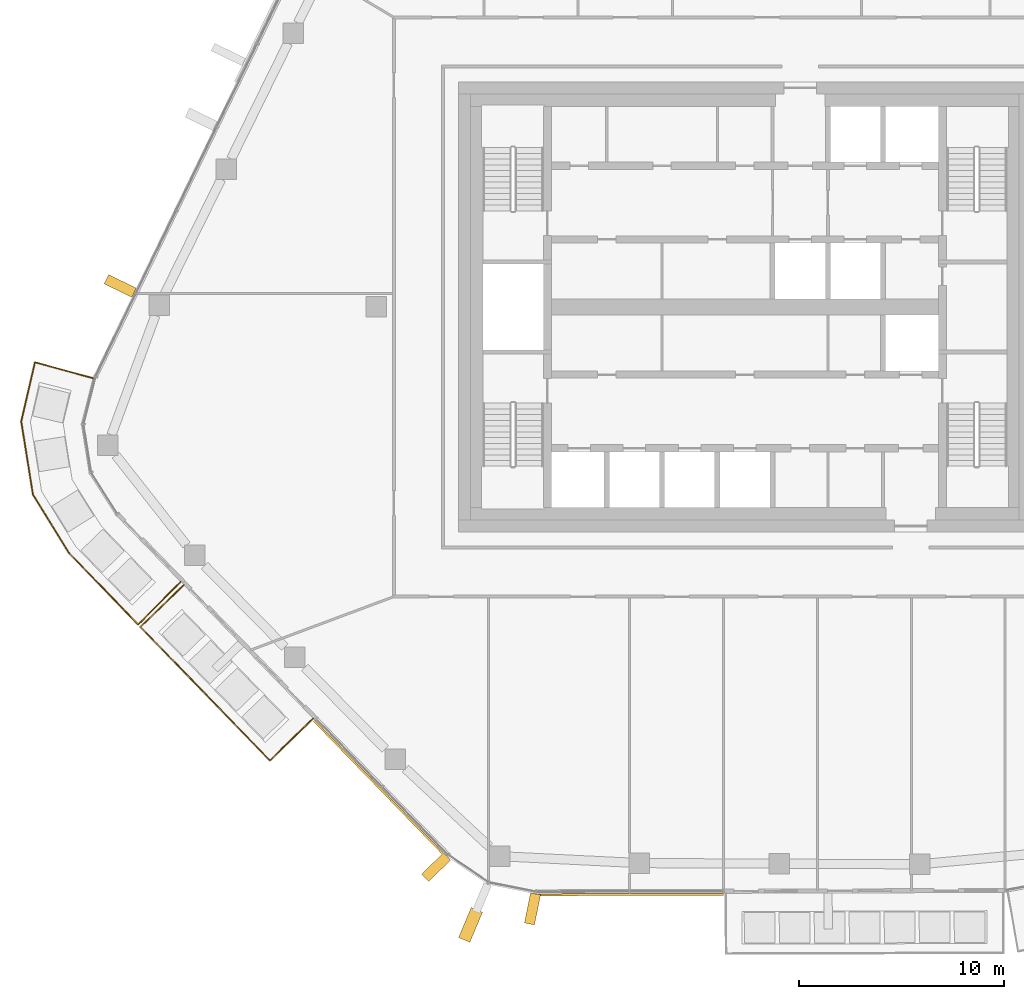
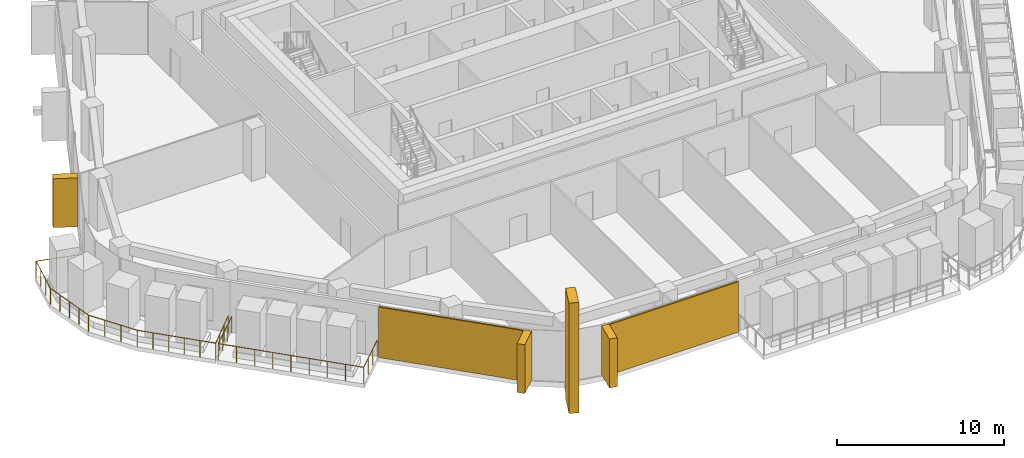
# One storey, part 18 of 24: 6 coverings, 2 railings, 4 elements without a shape of their own.
"""IFC4 building model written with IfcOpenShell, lengths in metres."""

from ifc_helpers import new_model, si_unit, direction, frame, origin, origin_2d, place, context, subcontext, project, spatial, rectangle, circle, extrude, material, layer, layer_set, material_profile, profile_set, type_object, element, aggregate, save


model = new_model("IFC4")

# Units and contexts
model_context = context("Model", 3, precision=1e-05, world=origin(), true_north=direction((0.0, 1.0)))
body_context = subcontext(model_context, "Body", "Model", "MODEL_VIEW")
ifc_project = project(units=[si_unit("LENGTHUNIT", "METRE"), si_unit("AREAUNIT", "SQUARE_METRE"), si_unit("VOLUMEUNIT", "CUBIC_METRE"), si_unit("PLANEANGLEUNIT", "RADIAN"), si_unit("MASSUNIT", "GRAM", prefix="KILO")], contexts=[model_context])

# Site, building, storey
site_placement = place(None, origin())
site = spatial("IfcSite", under=ifc_project, at=site_placement, CompositionType="ELEMENT")
building_placement = place(site_placement, origin())
building = spatial("IfcBuilding", under=site, at=building_placement, Name="Dongbaek Canopy Tower", CompositionType="ELEMENT")
storey_placement = place(building_placement, frame((0.0, 0.0, 344.60009765625)))
storey = spatial("IfcBuildingStorey", under=building, at=storey_placement, Name="L74", CompositionType="ELEMENT", Elevation=344.60009765625)

# Railings
ifc_material_1 = material(Name="Stainless steel", Category="steel")
railing_type = type_object("IfcRailingType", Name="Balcony balustrade 1200", PredefinedType="BALUSTRADE", material=ifc_material_1)
railing_1_placement = place(storey_placement, frame((-27.416748046875, -13.58642578125, 0.0)))
element("IfcRailing", 1, at=railing_1_placement, inside=storey, type_object=railing_type, Name="Balcony guard L74 3", PredefinedType="BALUSTRADE", context=body_context, shape_type="SweptSolid", body=[
    extrude(circle(Radius=0.02392578125, at=origin_2d()), frame((0.0, 0.0, 1.17578125), z_axis=(-0.717696638851, -0.696355896494, 0.0), x_axis=(0.696355896494, -0.717696638851, 0.0)), (0.0, 0.0, 1.0), 2.940185546875),
    extrude(circle(Radius=0.02392578125, at=origin_2d()), frame((-2.110107421875, -2.04736328125, 1.17578125), z_axis=(0.696375572083, -0.717677547793, 0.0), x_axis=(0.717677547793, 0.696375572083, 0.0)), (0.0, 0.0, 1.0), 9.0771484375),
    extrude(circle(Radius=0.02392578125, at=origin_2d()), frame((4.2109375, -8.561767578125, 1.17578125), z_axis=(0.717656369211, 0.696397397849, 0.0), x_axis=(-0.696397397849, 0.717656369211, 0.0)), (0.0, 0.0, 1.0), 2.93994140625),
    extrude(circle(Radius=0.02099609375, at=origin_2d()), origin(), (0.0, 0.0, 1.0), 1.15185546875),
    extrude(circle(Radius=0.02099609375, at=origin_2d()), frame((-0.703369140625, -0.682373046875, 0.0)), (0.0, 0.0, 1.0), 1.15185546875),
    extrude(circle(Radius=0.02099609375, at=origin_2d()), frame((-1.40673828125, -1.364990234375, 0.0)), (0.0, 0.0, 1.0), 1.15185546875),
    extrude(circle(Radius=0.02099609375, at=origin_2d()), frame((-2.110107421875, -2.04736328125, 0.0)), (0.0, 0.0, 1.0), 1.15185546875),
    extrude(circle(Radius=0.02099609375, at=origin_2d()), frame((-1.320068359375, -2.861572265625, 0.0)), (0.0, 0.0, 1.0), 1.15185546875),
    extrude(circle(Radius=0.02099609375, at=origin_2d()), frame((-0.52978515625, -3.676025390625, 0.0)), (0.0, 0.0, 1.0), 1.15185546875),
    extrude(circle(Radius=0.02099609375, at=origin_2d()), frame((0.26025390625, -4.490234375, 0.0)), (0.0, 0.0, 1.0), 1.15185546875),
    extrude(circle(Radius=0.02099609375, at=origin_2d()), frame((1.05029296875, -5.3046875, 0.0)), (0.0, 0.0, 1.0), 1.15185546875),
    extrude(circle(Radius=0.02099609375, at=origin_2d()), frame((1.840576171875, -6.118896484375, 0.0)), (0.0, 0.0, 1.0), 1.15185546875),
    extrude(circle(Radius=0.02099609375, at=origin_2d()), frame((2.630615234375, -6.93310546875, 0.0)), (0.0, 0.0, 1.0), 1.15185546875),
    extrude(circle(Radius=0.02099609375, at=origin_2d()), frame((3.4208984375, -7.74755859375, 0.0)), (0.0, 0.0, 1.0), 1.15185546875),
    extrude(circle(Radius=0.02099609375, at=origin_2d()), frame((4.2109375, -8.561767578125, 0.0)), (0.0, 0.0, 1.0), 1.15185546875),
    extrude(circle(Radius=0.02099609375, at=origin_2d()), frame((4.914306640625, -7.87939453125, 0.0)), (0.0, 0.0, 1.0), 1.15185546875),
    extrude(circle(Radius=0.02099609375, at=origin_2d()), frame((5.617431640625, -7.19677734375, 0.0)), (0.0, 0.0, 1.0), 1.15185546875),
    extrude(circle(Radius=0.02099609375, at=origin_2d()), frame((6.32080078125, -6.514404296875, 0.0)), (0.0, 0.0, 1.0), 1.15185546875),
])
railing_2_placement = place(storey_placement, frame((-31.848876953125, -3.47900390625, 0.0)))
element("IfcRailing", 2, at=railing_2_placement, inside=storey, type_object=railing_type, Name="Balcony guard L74 7", PredefinedType="BALUSTRADE", context=body_context, shape_type="SweptSolid", body=[
    extrude(circle(Radius=0.02392578125, at=origin_2d()), frame((0.0, 0.0, 1.17578125), z_axis=(-0.964105557481, 0.265519253602, 0.0), x_axis=(-0.265519253602, -0.964105557481, 0.0)), (0.0, 0.0, 1.0), 2.9404296875),
    extrude(circle(Radius=0.02392578125, at=origin_2d()), frame((-2.8349609375, 0.78076171875, 1.17578125), z_axis=(-0.225884835617, -0.974154012997, 0.0), x_axis=(0.974154012997, -0.225884835617, 0.0)), (0.0, 0.0, 1.0), 2.973388671875),
    extrude(circle(Radius=0.02392578125, at=origin_2d()), frame((-3.506591796875, -2.11572265625, 1.17578125), z_axis=(0.158464274959, -0.987364711523, 0.0), x_axis=(0.987364711523, 0.158464274959, 0.0)), (0.0, 0.0, 1.0), 3.617431640625),
    extrude(circle(Radius=0.02392578125, at=origin_2d()), frame((-2.933349609375, -5.6875, 1.17578125), z_axis=(0.525154889497, -0.851006663921, 0.0), x_axis=(0.851006663921, 0.525154889497, 0.0)), (0.0, 0.0, 1.0), 3.322021484375),
    extrude(circle(Radius=0.02392578125, at=origin_2d()), frame((-1.188720703125, -8.5146484375, 1.17578125), z_axis=(0.694128190065, -0.719851412277, 0.0), x_axis=(0.719851412277, 0.694128190065, 0.0)), (0.0, 0.0, 1.0), 4.8974609375),
    extrude(circle(Radius=0.02392578125, at=origin_2d()), frame((2.210693359375, -12.0400390625, 1.17578125), z_axis=(0.70331897613, 0.710874403686, 0.0), x_axis=(-0.710874403686, 0.70331897613, 0.0)), (0.0, 0.0, 1.0), 2.9404296875),
    extrude(circle(Radius=0.02099609375, at=origin_2d()), origin(), (0.0, 0.0, 1.0), 1.15185546875),
    extrude(circle(Radius=0.02099609375, at=origin_2d()), frame((-0.945068359375, 0.26025390625, 0.0)), (0.0, 0.0, 1.0), 1.15185546875),
    extrude(circle(Radius=0.02099609375, at=origin_2d()), frame((-1.889892578125, 0.5205078125, 0.0)), (0.0, 0.0, 1.0), 1.15185546875),
    extrude(circle(Radius=0.02099609375, at=origin_2d()), frame((-2.8349609375, 0.78076171875, 0.0)), (0.0, 0.0, 1.0), 1.15185546875),
    extrude(circle(Radius=0.02099609375, at=origin_2d()), frame((-3.058837890625, -0.184814453125, 0.0)), (0.0, 0.0, 1.0), 1.15185546875),
    extrude(circle(Radius=0.02099609375, at=origin_2d()), frame((-3.28271484375, -1.150146484375, 0.0)), (0.0, 0.0, 1.0), 1.15185546875),
    extrude(circle(Radius=0.02099609375, at=origin_2d()), frame((-3.506591796875, -2.11572265625, 0.0)), (0.0, 0.0, 1.0), 1.15185546875),
    extrude(circle(Radius=0.02099609375, at=origin_2d()), frame((-3.36328125, -3.0087890625, 0.0)), (0.0, 0.0, 1.0), 1.15185546875),
    extrude(circle(Radius=0.02099609375, at=origin_2d()), frame((-3.219970703125, -3.901611328125, 0.0)), (0.0, 0.0, 1.0), 1.15185546875),
    extrude(circle(Radius=0.02099609375, at=origin_2d()), frame((-3.07666015625, -4.79443359375, 0.0)), (0.0, 0.0, 1.0), 1.15185546875),
    extrude(circle(Radius=0.02099609375, at=origin_2d()), frame((-2.933349609375, -5.6875, 0.0)), (0.0, 0.0, 1.0), 1.15185546875),
    extrude(circle(Radius=0.02099609375, at=origin_2d()), frame((-2.351806640625, -6.6298828125, 0.0)), (0.0, 0.0, 1.0), 1.15185546875),
    extrude(circle(Radius=0.02099609375, at=origin_2d()), frame((-1.770263671875, -7.572265625, 0.0)), (0.0, 0.0, 1.0), 1.15185546875),
    extrude(circle(Radius=0.02099609375, at=origin_2d()), frame((-1.188720703125, -8.5146484375, 0.0)), (0.0, 0.0, 1.0), 1.15185546875),
    extrude(circle(Radius=0.02099609375, at=origin_2d()), frame((-0.5087890625, -9.2197265625, 0.0)), (0.0, 0.0, 1.0), 1.15185546875),
    extrude(circle(Radius=0.02099609375, at=origin_2d()), frame((0.171142578125, -9.9248046875, 0.0)), (0.0, 0.0, 1.0), 1.15185546875),
    extrude(circle(Radius=0.02099609375, at=origin_2d()), frame((0.850830078125, -10.6298828125, 0.0)), (0.0, 0.0, 1.0), 1.15185546875),
    extrude(circle(Radius=0.02099609375, at=origin_2d()), frame((1.53076171875, -11.3349609375, 0.0)), (0.0, 0.0, 1.0), 1.15185546875),
    extrude(circle(Radius=0.02099609375, at=origin_2d()), frame((2.210693359375, -12.0400390625, 0.0)), (0.0, 0.0, 1.0), 1.15185546875),
    extrude(circle(Radius=0.02099609375, at=origin_2d()), frame((2.900146484375, -11.34326171875, 0.0)), (0.0, 0.0, 1.0), 1.15185546875),
    extrude(circle(Radius=0.02099609375, at=origin_2d()), frame((3.58935546875, -10.646484375, 0.0)), (0.0, 0.0, 1.0), 1.15185546875),
    extrude(circle(Radius=0.02099609375, at=origin_2d()), frame((4.27880859375, -9.94970703125, 0.0)), (0.0, 0.0, 1.0), 1.15185546875),
])

# Curtain wall, covering
ifc_material_2 = material(Name="Aluminium 6063-T6 pale anodised", Category="aluminium")
ifc_layer_1 = layer(ifc_material_2, 0.199951171875)
ifc_layer_set_1 = layer_set([ifc_layer_1], Name="CW-1 unitised tower curtain wall")
curtain_wall_type = type_object("IfcCurtainWallType", Name="CW-1 unitised tower curtain wall", PredefinedType="NOTDEFINED", material=ifc_layer_set_1)
curtain_wall_1_placement = place(storey_placement, origin())
curtain_wall_1 = element("IfcCurtainWall", 3, at=curtain_wall_1_placement, inside=storey, type_object=curtain_wall_type, Name="CW-1 curtain wall K4.1", PredefinedType="NOTDEFINED")
ifc_material_3 = material(Name="Aluminium 6063-T6 pale metal fin", Category="aluminium")
ifc_material_profile_1 = material_profile(ifc_material_3, rectangle(XDim=1.60009765625, YDim=0.60009765625, at=origin_2d()), Name="Corner fin CN1 600 x 1600 pale metal")
ifc_profile_set_1 = profile_set([ifc_material_profile_1], Name="Aluminium 6063-T6 pale metal fin")
covering_type_1 = type_object("IfcCoveringType", Name="Corner fin CN1 600 x 1600 pale metal", PredefinedType="CLADDING", material=ifc_profile_set_1)
covering_1_placement = place(storey_placement, frame((-13.403076171875, -30.1845703125, -0.190185546875), z_axis=(0.0, 0.0, 1.0), x_axis=(-0.388220195323, -0.921566644331, 0.0)))
covering_1 = element("IfcCovering", 4, at=covering_1_placement, type_object=covering_type_1, Name="Corner fin L74 L75 K4", PredefinedType="CLADDING", context=body_context, shape_type="SweptSolid", body=[
    extrude(rectangle(XDim=1.60009765625, YDim=0.60009765625, at=origin_2d()), origin(), (0.0, 0.0, 1.0), 8.090087890625),
])

curtain_wall_2_placement = place(storey_placement, origin())
curtain_wall_2 = element("IfcCurtainWall", 5, at=curtain_wall_2_placement, inside=storey, type_object=curtain_wall_type, Name="CW-1 curtain wall F3.1", PredefinedType="NOTDEFINED")
ifc_material_4 = material(Name="Perforated aluminium 6063-T6 pale metal screen", Category="aluminium")
ifc_layer_2 = layer(ifc_material_4, 0.10009765625)
ifc_layer_set_2 = layer_set([ifc_layer_2], Name="Facet screen FS1 100 pale metal")
covering_type_2 = type_object("IfcCoveringType", Name="Facet screen FS1 100 pale metal", PredefinedType="CLADDING", material=ifc_layer_set_2)
covering_2_placement = place(storey_placement, frame((-17.919677734375, -23.440185546875, 0.0), z_axis=(0.0, 0.0, 1.0), x_axis=(0.696372639427, -0.71768039339, 0.0)))
covering_2 = element("IfcCovering", 6, at=covering_2_placement, type_object=covering_type_2, Name="Facet screen L74 F3", PredefinedType="CLADDING", context=body_context, shape_type="SweptSolid", body=[
    extrude(rectangle(XDim=8.996826171875, YDim=0.10009765625, at=origin_2d()), origin(), (0.0, 0.0, 1.0), 3.699951171875),
])

curtain_wall_3_placement = place(storey_placement, origin())
curtain_wall_3 = element("IfcCurtainWall", 7, at=curtain_wall_3_placement, inside=storey, type_object=curtain_wall_type, Name="CW-1 curtain wall F4.1", PredefinedType="NOTDEFINED")
covering_3_placement = place(storey_placement, frame((-5.56591796875, -28.70556640625, 0.0), z_axis=(0.0, 0.0, 1.0), x_axis=(0.99999530351, 0.003064793369, 0.0)))
covering_3 = element("IfcCovering", 8, at=covering_3_placement, type_object=covering_type_2, Name="Facet screen L74 F4", PredefinedType="CLADDING", context=body_context, shape_type="SweptSolid", body=[
    extrude(rectangle(XDim=9.048095703125, YDim=0.10009765625, at=origin_2d()), origin(), (0.0, 0.0, 1.0), 3.699951171875),
])
aggregate(curtain_wall_3, [covering_3])

curtain_wall_4_placement = place(storey_placement, origin())
curtain_wall_4 = element("IfcCurtainWall", 9, at=curtain_wall_4_placement, inside=storey, type_object=curtain_wall_type, Name="CW-1 curtain wall F2.1", PredefinedType="NOTDEFINED")
ifc_material_5 = material(Name="Aluminium 6063-T6 pale metal fin", Category="aluminium")
ifc_material_profile_2 = material_profile(ifc_material_5, rectangle(XDim=1.5, YDim=0.5, at=origin_2d()), Name="Fin FN1 500 x 1500 pale metal")
ifc_profile_set_2 = profile_set([ifc_material_profile_2], Name="Aluminium 6063-T6 pale metal fin")
covering_type_3 = type_object("IfcCoveringType", Name="Fin FN1 500 x 1500 pale metal", PredefinedType="CLADDING", material=ifc_profile_set_2)
covering_4_placement = place(storey_placement, frame((-30.51904296875, 1.027587890625, 0.119873046875), z_axis=(0.0, 0.0, 1.0), x_axis=(-0.899562865898, 0.436791312067, 0.0)))
covering_4 = element("IfcCovering", 10, at=covering_4_placement, type_object=covering_type_3, Name="Fin F2.1.7", PredefinedType="CLADDING", context=body_context, shape_type="SweptSolid", body=[
    extrude(rectangle(XDim=1.5, YDim=0.5, at=origin_2d()), origin(), (0.0, 0.0, 1.0), 3.580078125),
])
aggregate(curtain_wall_4, [covering_4])

# Covering
covering_5_placement = place(storey_placement, frame((-15.09033203125, -27.3671875, 0.119873046875), z_axis=(0.0, 0.0, 1.0), x_axis=(-0.717680445859, -0.696372585353, 0.0)))
covering_5 = element("IfcCovering", 11, at=covering_5_placement, type_object=covering_type_3, Name="Fin F3.1.3", PredefinedType="CLADDING", context=body_context, shape_type="SweptSolid", body=[
    extrude(rectangle(XDim=1.5, YDim=0.5, at=origin_2d()), origin(), (0.0, 0.0, 1.0), 3.580078125),
])

aggregate(curtain_wall_2, [covering_5, covering_2])

covering_6_placement = place(storey_placement, frame((-10.3779296875, -29.4072265625, 0.119873046875), z_axis=(0.0, 0.0, 1.0), x_axis=(-0.196529582008, -0.980497895661, 0.0)))
covering_6 = element("IfcCovering", 12, at=covering_6_placement, type_object=covering_type_3, Name="Fin K4.1.3", PredefinedType="CLADDING", context=body_context, shape_type="SweptSolid", body=[
    extrude(rectangle(XDim=1.5, YDim=0.5, at=origin_2d()), origin(), (0.0, 0.0, 1.0), 3.580078125),
])

aggregate(curtain_wall_1, [covering_6, covering_1])

save(model, "model.ifc")
